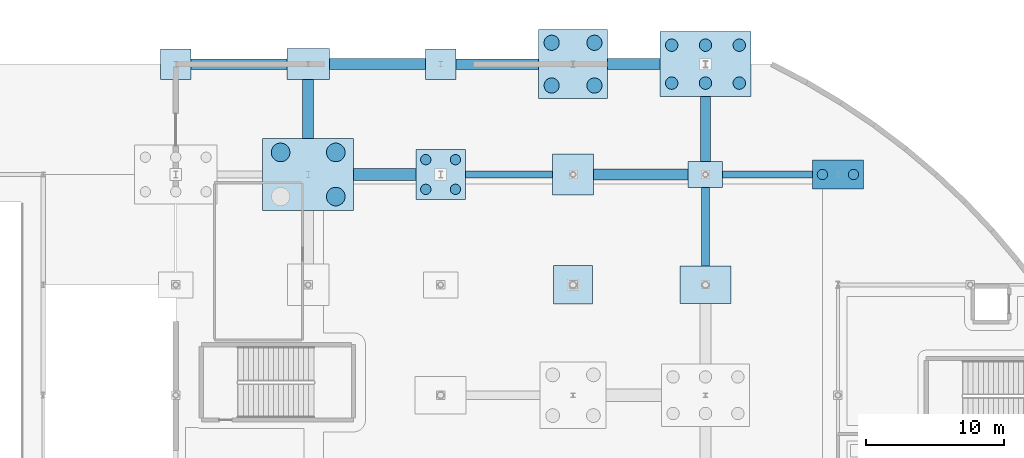
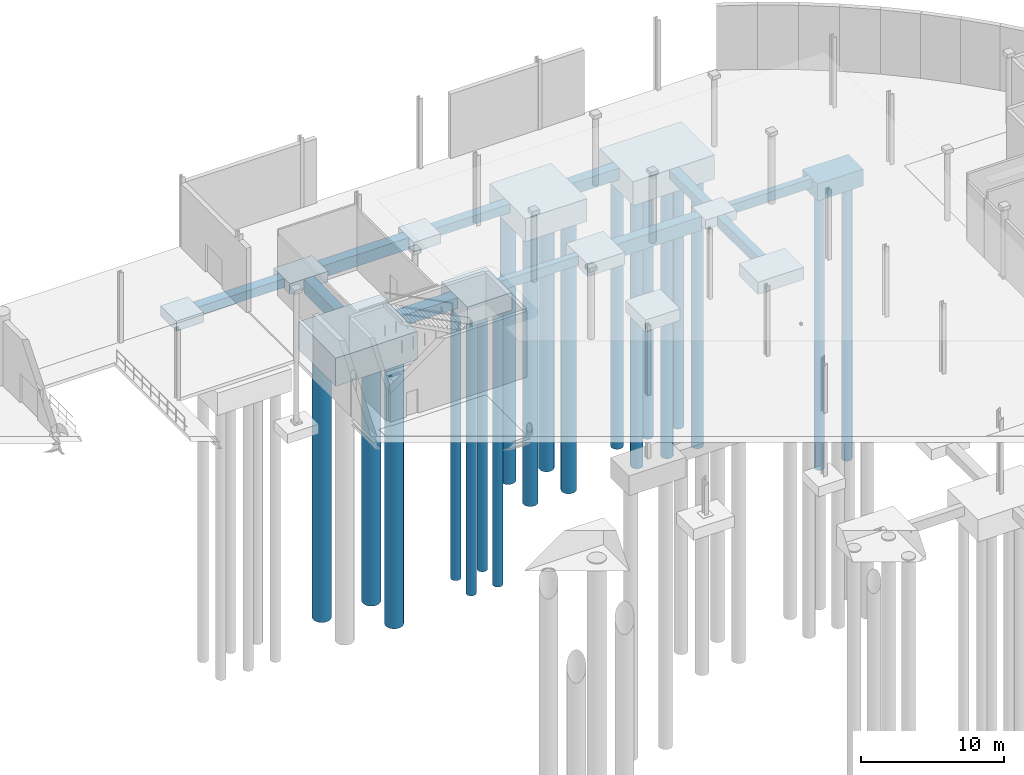
# One storey, part 5 of 124: 23 footings, 19 piles.
"""IFC4 building model written with IfcOpenShell, lengths in metres."""

from ifc_helpers import new_model, si_unit, direction, frame, origin, origin_2d, place, context, subcontext, project, spatial, rectangle, circle, extrude, material, material_profile, profile_set, type_object, element, save


model = new_model("IFC4")

# Units and contexts
model_context = context("Model", 3, precision=1e-05, world=origin(), true_north=direction((0.0, 1.0)))
body_context = subcontext(model_context, "Body", "Model", "MODEL_VIEW")
ifc_project = project(units=[si_unit("LENGTHUNIT", "METRE"), si_unit("AREAUNIT", "SQUARE_METRE"), si_unit("VOLUMEUNIT", "CUBIC_METRE"), si_unit("PLANEANGLEUNIT", "RADIAN"), si_unit("MASSUNIT", "GRAM", prefix="KILO")], contexts=[model_context])

# Site, building, storey
site_placement = place(None, origin())
site = spatial("IfcSite", under=ifc_project, at=site_placement, CompositionType="ELEMENT")
building_placement = place(site_placement, origin())
building = spatial("IfcBuilding", under=site, at=building_placement, Name="Danafjord Basin Convention Centre", CompositionType="ELEMENT")
storey_placement = place(building_placement, origin())
storey = spatial("IfcBuildingStorey", under=building, at=storey_placement, Name="L00", CompositionType="ELEMENT", Elevation=0.0)

# Footings
ifc_material_1 = material(Name="Concrete C40/50", Category="concrete")
footing_type_1 = type_object("IfcFootingType", Name="CAP-PC-02", PredefinedType="PILE_CAP", material=ifc_material_1)
footing_1_placement = place(storey_placement, frame((182.39990234375, 136.0, -6.85009765625), z_axis=(0.0, 0.0, 1.0), x_axis=(1.0, 0.0, 0.0)))
element("IfcFooting", 1, at=footing_1_placement, inside=storey, type_object=footing_type_1, Name="L00 pile cap PC-02 at (182.4, 136.0)", PredefinedType="PILE_CAP", context=body_context, shape_type="SweptSolid", body=[
    extrude(rectangle(XDim=3.699951171875, YDim=2.10009765625, at=origin_2d()), origin(), (0.0, 0.0, 1.0), 1.449951171875),
])
footing_type_2 = type_object("IfcFootingType", Name="CAP-PC-06", PredefinedType="PILE_CAP", material=ifc_material_1)
footing_2_placement = place(storey_placement, frame((153.60009765625, 136.0, -6.89990234375), z_axis=(0.0, 0.0, 1.0), x_axis=(1.0, 0.0, 0.0)))
element("IfcFooting", 2, at=footing_2_placement, inside=storey, type_object=footing_type_2, Name="L00 pile cap PC-06 at (153.6, 136.0)", PredefinedType="PILE_CAP", context=body_context, shape_type="SweptSolid", body=[
    extrude(rectangle(XDim=3.60009765625, YDim=3.60009765625, at=origin_2d()), origin(), (0.0, 0.0, 1.0), 1.5),
])
footing_type_3 = type_object("IfcFootingType", Name="CAP-PC-12", PredefinedType="PILE_CAP", material=ifc_material_1)
footing_3_placement = place(storey_placement, frame((163.199951171875, 144.0, -7.35009765625), z_axis=(0.0, 0.0, 1.0), x_axis=(1.0, 0.0, 0.0)))
element("IfcFooting", 3, at=footing_3_placement, inside=storey, type_object=footing_type_3, Name="L00 pile cap PC-12 at (163.2, 144.0)", PredefinedType="PILE_CAP", context=body_context, shape_type="SweptSolid", body=[
    extrude(rectangle(XDim=5.0, YDim=5.0, at=origin_2d()), origin(), (0.0, 0.0, 1.0), 1.949951171875),
])
footing_type_4 = type_object("IfcFootingType", Name="CAP-PC-18", PredefinedType="PILE_CAP", material=ifc_material_1)
footing_4_placement = place(storey_placement, frame((172.800048828125, 144.0, -7.4501953125), z_axis=(0.0, 0.0, 1.0), x_axis=(1.0, 0.0, 0.0)))
element("IfcFooting", 4, at=footing_4_placement, inside=storey, type_object=footing_type_4, Name="L00 pile cap PC-18 at (172.8, 144.0)", PredefinedType="PILE_CAP", context=body_context, shape_type="SweptSolid", body=[
    extrude(rectangle(XDim=6.60009765625, YDim=4.699951171875, at=origin_2d()), origin(), (0.0, 0.0, 1.0), 2.050048828125),
])
footing_type_5 = type_object("IfcFootingType", Name="CAP-PC-22", PredefinedType="PILE_CAP", material=ifc_material_1)
footing_5_placement = place(storey_placement, frame((144.0, 136.0, -7.800048828125), z_axis=(0.0, 0.0, 1.0), x_axis=(1.0, 0.0, 0.0)))
element("IfcFooting", 5, at=footing_5_placement, inside=storey, type_object=footing_type_5, Name="L00 pile cap PC-22 at (144.0, 136.0)", PredefinedType="PILE_CAP", context=body_context, shape_type="SweptSolid", body=[
    extrude(rectangle(XDim=6.60009765625, YDim=5.199951171875, at=origin_2d()), origin(), (0.0, 0.0, 1.0), 2.39990234375),
])
ifc_material_profile_1 = material_profile(ifc_material_1, rectangle(XDim=0.800048828125, YDim=1.0, at=origin_2d()), Name="GB 800x1000")
ifc_profile_set_1 = profile_set([ifc_material_profile_1], Name="Concrete C40/50")
footing_type_6 = type_object("IfcFootingType", Name="FBM-FB-01", PredefinedType="FOOTING_BEAM", material=ifc_profile_set_1)
footing_6_placement = place(storey_placement, frame((145.550048828125, 144.0, -5.89990234375), z_axis=(1.0, 0.0, 0.0), x_axis=(0.0, 1.0, 0.0)))
element("IfcFooting", 6, at=footing_6_placement, inside=storey, type_object=footing_type_6, Name="L00 foundation beam FB-01", PredefinedType="FOOTING_BEAM", context=body_context, shape_type="SweptSolid", body=[
    extrude(rectangle(XDim=0.800048828125, YDim=1.0, at=origin_2d()), origin(), (0.0, 0.0, 1.0), 6.949951171875),
])
footing_7_placement = place(storey_placement, frame((165.699951171875, 144.0, -5.89990234375), z_axis=(1.0, 0.0, 0.0), x_axis=(0.0, 1.0, 0.0)))
element("IfcFooting", 7, at=footing_7_placement, inside=storey, type_object=footing_type_6, Name="L00 foundation beam FB-01", PredefinedType="FOOTING_BEAM", context=body_context, shape_type="SweptSolid", body=[
    extrude(rectangle(XDim=0.800048828125, YDim=1.0, at=origin_2d()), origin(), (0.0, 0.0, 1.0), 3.800048828125),
])
ifc_material_profile_2 = material_profile(ifc_material_1, rectangle(XDim=0.60009765625, YDim=0.89990234375, at=origin_2d()), Name="GB 600x900")
ifc_profile_set_2 = profile_set([ifc_material_profile_2], Name="Concrete C40/50")
footing_type_7 = type_object("IfcFootingType", Name="FBM-FB-02", PredefinedType="FOOTING_BEAM", material=ifc_profile_set_2)
footing_8_placement = place(storey_placement, frame((172.800048828125, 129.35009765625, -5.85009765625), z_axis=(0.0, 1.0, 0.0), x_axis=(-1.0, 0.0, 0.0)))
element("IfcFooting", 8, at=footing_8_placement, inside=storey, type_object=footing_type_7, Name="L00 foundation tie beam FB-02", PredefinedType="FOOTING_BEAM", context=body_context, shape_type="SweptSolid", body=[
    extrude(rectangle(XDim=0.60009765625, YDim=0.89990234375, at=origin_2d()), origin(), (0.0, 0.0, 1.0), 5.699951171875),
])
ifc_material_profile_3 = material_profile(ifc_material_1, rectangle(XDim=0.5, YDim=0.800048828125, at=origin_2d()), Name="PCB 500x800")
ifc_profile_set_3 = profile_set([ifc_material_profile_3], Name="Concrete C40/50")
footing_type_8 = type_object("IfcFootingType", Name="FBM-FB-03", PredefinedType="FOOTING_BEAM", material=ifc_profile_set_3)
footing_9_placement = place(storey_placement, frame((155.39990234375, 136.0, -5.800048828125), z_axis=(1.0, 0.0, 0.0), x_axis=(0.0, 1.0, 0.0)))
element("IfcFooting", 9, at=footing_9_placement, inside=storey, type_object=footing_type_8, Name="L00 foundation beam FB-03", PredefinedType="FOOTING_BEAM", context=body_context, shape_type="SweptSolid", body=[
    extrude(rectangle(XDim=0.5, YDim=0.800048828125, at=origin_2d()), origin(), (0.0, 0.0, 1.0), 6.300048828125),
])
footing_10_placement = place(storey_placement, frame((174.050048828125, 136.0, -5.800048828125), z_axis=(1.0, 0.0, 0.0), x_axis=(0.0, 1.0, 0.0)))
element("IfcFooting", 10, at=footing_10_placement, inside=storey, type_object=footing_type_8, Name="L00 foundation beam FB-03", PredefinedType="FOOTING_BEAM", context=body_context, shape_type="SweptSolid", body=[
    extrude(rectangle(XDim=0.5, YDim=0.800048828125, at=origin_2d()), origin(), (0.0, 0.0, 1.0), 6.5),
])
ifc_material_profile_4 = material_profile(ifc_material_1, rectangle(XDim=0.75, YDim=0.75, at=origin_2d()), Name="RC 750x750")
ifc_profile_set_4 = profile_set([ifc_material_profile_4], Name="Concrete C40/50")
footing_type_9 = type_object("IfcFootingType", Name="FBM-FB-04", PredefinedType="FOOTING_BEAM", material=ifc_profile_set_4)
footing_11_placement = place(storey_placement, frame((135.5, 144.0, -5.77490234375), z_axis=(1.0, 0.0, 0.0), x_axis=(0.0, 1.0, 0.0)))
element("IfcFooting", 11, at=footing_11_placement, inside=storey, type_object=footing_type_9, Name="L00 foundation beam FB-04", PredefinedType="FOOTING_BEAM", context=body_context, shape_type="SweptSolid", body=[
    extrude(rectangle(XDim=0.75, YDim=0.75, at=origin_2d()), origin(), (0.0, 0.0, 1.0), 6.949951171875),
])
footing_12_placement = place(storey_placement, frame((154.699951171875, 144.0, -5.77490234375), z_axis=(1.0, 0.0, 0.0), x_axis=(0.0, 1.0, 0.0)))
element("IfcFooting", 12, at=footing_12_placement, inside=storey, type_object=footing_type_9, Name="L00 foundation beam FB-04", PredefinedType="FOOTING_BEAM", context=body_context, shape_type="SweptSolid", body=[
    extrude(rectangle(XDim=0.75, YDim=0.75, at=origin_2d()), origin(), (0.0, 0.0, 1.0), 6.0),
])
footing_13_placement = place(storey_placement, frame((172.800048828125, 136.949951171875, -5.77490234375), z_axis=(0.0, 1.0, 0.0), x_axis=(-1.0, 0.0, 0.0)))
element("IfcFooting", 13, at=footing_13_placement, inside=storey, type_object=footing_type_9, Name="L00 foundation tie beam FB-04", PredefinedType="FOOTING_BEAM", context=body_context, shape_type="SweptSolid", body=[
    extrude(rectangle(XDim=0.75, YDim=0.75, at=origin_2d()), origin(), (0.0, 0.0, 1.0), 4.699951171875),
])
ifc_material_profile_5 = material_profile(ifc_material_1, rectangle(XDim=0.89990234375, YDim=0.89990234375, at=origin_2d()), Name="RC 900x900")
ifc_profile_set_5 = profile_set([ifc_material_profile_5], Name="Concrete C40/50")
footing_type_10 = type_object("IfcFootingType", Name="FBM-FB-05", PredefinedType="FOOTING_BEAM", material=ifc_profile_set_5)
footing_14_placement = place(storey_placement, frame((147.300048828125, 136.0, -5.85009765625), z_axis=(1.0, 0.0, 0.0), x_axis=(0.0, 1.0, 0.0)))
element("IfcFooting", 14, at=footing_14_placement, inside=storey, type_object=footing_type_10, Name="L00 foundation beam FB-05", PredefinedType="FOOTING_BEAM", context=body_context, shape_type="SweptSolid", body=[
    extrude(rectangle(XDim=0.89990234375, YDim=0.89990234375, at=origin_2d()), origin(), (0.0, 0.0, 1.0), 4.5),
])
ifc_material_profile_6 = material_profile(ifc_material_1, rectangle(XDim=0.800048828125, YDim=1.199951171875, at=origin_2d()), Name="RC 1200x800")
ifc_profile_set_6 = profile_set([ifc_material_profile_6], Name="Concrete C40/50")
footing_type_11 = type_object("IfcFootingType", Name="FBM-FB-06", PredefinedType="FOOTING_BEAM", material=ifc_profile_set_6)
footing_15_placement = place(storey_placement, frame((144.0, 138.60009765625, -6.0), z_axis=(0.0, 1.0, 0.0), x_axis=(-1.0, 0.0, 0.0)))
element("IfcFooting", 15, at=footing_15_placement, inside=storey, type_object=footing_type_11, Name="L00 foundation tie beam FB-06", PredefinedType="FOOTING_BEAM", context=body_context, shape_type="SweptSolid", body=[
    extrude(rectangle(XDim=0.800048828125, YDim=1.199951171875, at=origin_2d()), origin(), (0.0, 0.0, 1.0), 4.27490234375),
])
footing_16_placement = place(storey_placement, frame((164.699951171875, 136.0, -6.0), z_axis=(1.0, 0.0, 0.0), x_axis=(0.0, 1.0, 0.0)))
element("IfcFooting", 16, at=footing_16_placement, inside=storey, type_object=footing_type_11, Name="L00 foundation beam FB-06", PredefinedType="FOOTING_BEAM", context=body_context, shape_type="SweptSolid", body=[
    extrude(rectangle(XDim=0.800048828125, YDim=1.199951171875, at=origin_2d()), origin(), (0.0, 0.0, 1.0), 6.85009765625),
])
ifc_material_2 = material(Name="Concrete C35/45", Category="concrete")
footing_type_12 = type_object("IfcFootingType", Name="PAD-PF-02", PredefinedType="PAD_FOOTING", material=ifc_material_2)
for number, where, z_axis, x_axis, name in (
    (17, (134.39990234375, 144.0, -6.25), (0.0, 0.0, 1.0), (1.0, 0.0, 0.0), "L00 pad footing PF-02 at (134.4, 144.0)"),
    (18, (153.60009765625, 144.0, -6.25), (0.0, 0.0, 1.0), (1.0, 0.0, 0.0), "L00 pad footing PF-02 at (153.6, 144.0)"),
):
    element("IfcFooting", number, at=place(storey_placement, frame(where, z_axis=z_axis, x_axis=x_axis)), inside=storey, type_object=footing_type_12, Name=name, PredefinedType="PAD_FOOTING", context=body_context, shape_type="SweptSolid", body=[
        extrude(rectangle(XDim=2.199951171875, YDim=2.199951171875, at=origin_2d()), origin(), (0.0, 0.0, 1.0), 0.85009765625),
    ])
footing_type_13 = type_object("IfcFootingType", Name="PAD-PF-05", PredefinedType="PAD_FOOTING", material=ifc_material_2)
footing_17_placement = place(storey_placement, frame((163.199951171875, 128.0, -6.39990234375), z_axis=(0.0, 0.0, 1.0), x_axis=(1.0, 0.0, 0.0)))
element("IfcFooting", 19, at=footing_17_placement, inside=storey, type_object=footing_type_13, Name="L00 pad footing PF-05 at (163.2, 128.0)", PredefinedType="PAD_FOOTING", context=body_context, shape_type="SweptSolid", body=[
    extrude(rectangle(XDim=2.800048828125, YDim=2.800048828125, at=origin_2d()), origin(), (0.0, 0.0, 1.0), 1.0),
])
footing_type_14 = type_object("IfcFootingType", Name="PAD-PF-06", PredefinedType="PAD_FOOTING", material=ifc_material_2)
footing_18_placement = place(storey_placement, frame((163.199951171875, 136.0, -6.4501953125), z_axis=(0.0, 0.0, 1.0), x_axis=(1.0, 0.0, 0.0)))
element("IfcFooting", 20, at=footing_18_placement, inside=storey, type_object=footing_type_14, Name="L00 pad footing PF-06 at (163.2, 136.0)", PredefinedType="PAD_FOOTING", context=body_context, shape_type="SweptSolid", body=[
    extrude(rectangle(XDim=3.0, YDim=3.0, at=origin_2d()), origin(), (0.0, 0.0, 1.0), 1.050048828125),
])
footing_type_15 = type_object("IfcFootingType", Name="PAD-PF-08", PredefinedType="PAD_FOOTING", material=ifc_material_2)
footing_19_placement = place(storey_placement, frame((144.0, 144.0, -6.300048828125), z_axis=(0.0, 0.0, 1.0), x_axis=(1.0, 0.0, 0.0)))
element("IfcFooting", 21, at=footing_19_placement, inside=storey, type_object=footing_type_15, Name="L00 pad footing PF-08 at (144.0, 144.0)", PredefinedType="PAD_FOOTING", context=body_context, shape_type="SweptSolid", body=[
    extrude(rectangle(XDim=3.10009765625, YDim=2.25, at=origin_2d()), origin(), (0.0, 0.0, 1.0), 0.89990234375),
])
footing_type_16 = type_object("IfcFootingType", Name="PAD-PF-11", PredefinedType="PAD_FOOTING", material=ifc_material_2)
footing_20_placement = place(storey_placement, frame((172.800048828125, 128.0, -6.4501953125), z_axis=(0.0, 0.0, 1.0), x_axis=(1.0, 0.0, 0.0)))
element("IfcFooting", 22, at=footing_20_placement, inside=storey, type_object=footing_type_16, Name="L00 pad footing PF-11 at (172.8, 128.0)", PredefinedType="PAD_FOOTING", context=body_context, shape_type="SweptSolid", body=[
    extrude(rectangle(XDim=3.699951171875, YDim=2.699951171875, at=origin_2d()), origin(), (0.0, 0.0, 1.0), 1.050048828125),
])
footing_type_17 = type_object("IfcFootingType", Name="PAD-PF-12", PredefinedType="PAD_FOOTING", material=ifc_material_2)
footing_21_placement = place(storey_placement, frame((172.800048828125, 136.0, -6.2001953125), z_axis=(0.0, 0.0, 1.0), x_axis=(1.0, 0.0, 0.0)))
element("IfcFooting", 23, at=footing_21_placement, inside=storey, type_object=footing_type_17, Name="L00 pad footing PF-12 at (172.8, 136.0)", PredefinedType="PAD_FOOTING", context=body_context, shape_type="SweptSolid", body=[
    extrude(rectangle(XDim=2.5, YDim=1.89990234375, at=origin_2d()), origin(), (0.0, 0.0, 1.0), 0.800048828125),
])

# Piles
ifc_material_profile_7 = material_profile(ifc_material_1, circle(Radius=0.550048828125, at=origin_2d()), Name="PILE D1100")
ifc_profile_set_7 = profile_set([ifc_material_profile_7], Name="Concrete C40/50")
pile_type_1 = type_object("IfcPileType", Name="PILE-PL-1100", PredefinedType="BORED", material=ifc_profile_set_7)
for number, where, z_axis, x_axis, name in (
    (24, (161.64990234375, 142.449951171875, -7.25), (0.0, 0.0, -1.0), (1.0, 0.0, 0.0), "PC-12 bored pile 1-1"),
    (25, (161.64990234375, 145.550048828125, -7.25), (0.0, 0.0, -1.0), (1.0, 0.0, 0.0), "PC-12 bored pile 1-2"),
    (26, (164.75, 142.449951171875, -7.25), (0.0, 0.0, -1.0), (1.0, 0.0, 0.0), "PC-12 bored pile 2-1"),
    (27, (164.75, 145.550048828125, -7.25), (0.0, 0.0, -1.0), (1.0, 0.0, 0.0), "PC-12 bored pile 2-2"),
):
    element("IfcPile", number, at=place(storey_placement, frame(where, z_axis=z_axis, x_axis=x_axis)), inside=storey, type_object=pile_type_1, Name=name, PredefinedType="BORED", context=body_context, shape_type="SweptSolid", body=[
        extrude(circle(Radius=0.550048828125, at=origin_2d()), origin(), (0.0, 0.0, 1.0), 23.25),
    ])
ifc_material_profile_8 = material_profile(ifc_material_1, circle(Radius=0.675048828125, at=origin_2d()), Name="PILE D1350")
ifc_profile_set_8 = profile_set([ifc_material_profile_8], Name="Concrete C40/50")
pile_type_2 = type_object("IfcPileType", Name="PILE-PL-1350", PredefinedType="BORED", material=ifc_profile_set_8)
for number, where, z_axis, x_axis, name in (
    (28, (142.0, 137.60009765625, -7.699951171875), (0.0, 0.0, -1.0), (1.0, 0.0, 0.0), "PC-22 bored pile 1-2"),
    (29, (146.0, 134.39990234375, -7.699951171875), (0.0, 0.0, -1.0), (1.0, 0.0, 0.0), "PC-22 bored pile 2-1"),
    (30, (146.0, 137.60009765625, -7.699951171875), (0.0, 0.0, -1.0), (1.0, 0.0, 0.0), "PC-22 bored pile 2-2"),
):
    element("IfcPile", number, at=place(storey_placement, frame(where, z_axis=z_axis, x_axis=x_axis)), inside=storey, type_object=pile_type_2, Name=name, PredefinedType="BORED", context=body_context, shape_type="SweptSolid", body=[
        extrude(circle(Radius=0.675048828125, at=origin_2d()), origin(), (0.0, 0.0, 1.0), 22.800048828125),
    ])
ifc_material_profile_9 = material_profile(ifc_material_1, circle(Radius=0.375, at=origin_2d()), Name="PILE D750")
ifc_profile_set_9 = profile_set([ifc_material_profile_9], Name="Concrete C40/50")
pile_type_3 = type_object("IfcPileType", Name="PILE-PL-750", PredefinedType="BORED", material=ifc_profile_set_9)
for number, where, z_axis, x_axis, name in (
    (31, (152.52490234375, 134.925048828125, -6.800048828125), (0.0, 0.0, -1.0), (1.0, 0.0, 0.0), "PC-06 bored pile 1-1"),
    (32, (152.52490234375, 137.074951171875, -6.800048828125), (0.0, 0.0, -1.0), (1.0, 0.0, 0.0), "PC-06 bored pile 1-2"),
    (33, (154.675048828125, 134.925048828125, -6.800048828125), (0.0, 0.0, -1.0), (1.0, 0.0, 0.0), "PC-06 bored pile 2-1"),
    (34, (154.675048828125, 137.074951171875, -6.800048828125), (0.0, 0.0, -1.0), (1.0, 0.0, 0.0), "PC-06 bored pile 2-2"),
):
    element("IfcPile", number, at=place(storey_placement, frame(where, z_axis=z_axis, x_axis=x_axis)), inside=storey, type_object=pile_type_3, Name=name, PredefinedType="BORED", context=body_context, shape_type="SweptSolid", body=[
        extrude(circle(Radius=0.375, at=origin_2d()), origin(), (0.0, 0.0, 1.0), 23.699951171875),
    ])
for number, where, z_axis, x_axis, name in (
    (35, (181.27490234375, 136.0, -6.75), (0.0, 0.0, -1.0), (1.0, 0.0, 0.0), "PC-02 bored pile 1-1"),
    (36, (183.52490234375, 136.0, -6.75), (0.0, 0.0, -1.0), (1.0, 0.0, 0.0), "PC-02 bored pile 2-1"),
):
    element("IfcPile", number, at=place(storey_placement, frame(where, z_axis=z_axis, x_axis=x_axis)), inside=storey, type_object=pile_type_3, Name=name, PredefinedType="BORED", context=body_context, shape_type="SweptSolid", body=[
        extrude(circle(Radius=0.375, at=origin_2d()), origin(), (0.0, 0.0, 1.0), 23.75),
    ])
ifc_material_profile_10 = material_profile(ifc_material_1, circle(Radius=0.449951171875, at=origin_2d()), Name="PILE D900")
ifc_profile_set_10 = profile_set([ifc_material_profile_10], Name="Concrete C40/50")
pile_type_4 = type_object("IfcPileType", Name="PILE-PL-900", PredefinedType="BORED", material=ifc_profile_set_10)
for number, where, z_axis, x_axis, name in (
    (37, (170.35009765625, 142.625, -7.35009765625), (0.0, 0.0, -1.0), (1.0, 0.0, 0.0), "PC-18 bored pile 1-1"),
    (38, (170.35009765625, 145.375, -7.35009765625), (0.0, 0.0, -1.0), (1.0, 0.0, 0.0), "PC-18 bored pile 1-2"),
    (39, (172.800048828125, 142.625, -7.35009765625), (0.0, 0.0, -1.0), (1.0, 0.0, 0.0), "PC-18 bored pile 2-1"),
    (40, (172.800048828125, 145.375, -7.35009765625), (0.0, 0.0, -1.0), (1.0, 0.0, 0.0), "PC-18 bored pile 2-2"),
    (41, (175.25, 142.625, -7.35009765625), (0.0, 0.0, -1.0), (1.0, 0.0, 0.0), "PC-18 bored pile 3-1"),
    (42, (175.25, 145.375, -7.35009765625), (0.0, 0.0, -1.0), (1.0, 0.0, 0.0), "PC-18 bored pile 3-2"),
):
    element("IfcPile", number, at=place(storey_placement, frame(where, z_axis=z_axis, x_axis=x_axis)), inside=storey, type_object=pile_type_4, Name=name, PredefinedType="BORED", context=body_context, shape_type="SweptSolid", body=[
        extrude(circle(Radius=0.449951171875, at=origin_2d()), origin(), (0.0, 0.0, 1.0), 23.14990234375),
    ])

save(model, "model.ifc")
